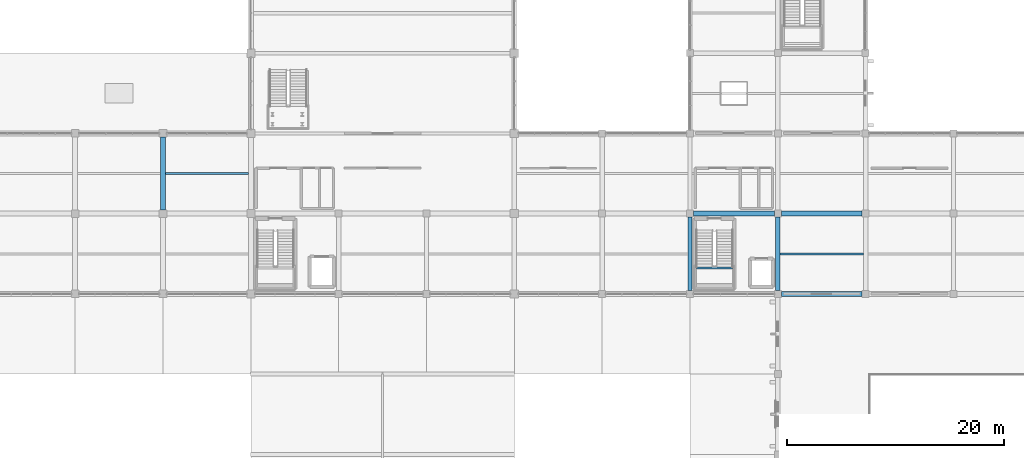
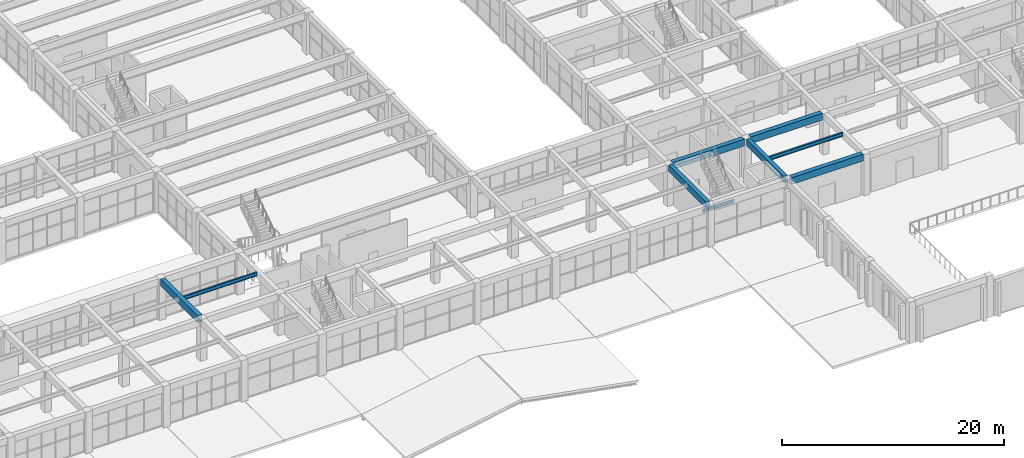
# One storey, part 44 of 161: 9 beams.
"""IFC4 building model written with IfcOpenShell, lengths in metres."""

from ifc_helpers import new_model, si_unit, direction, frame, origin, origin_2d, place, context, subcontext, project, spatial, rectangle, i_section, extrude, material, material_profile, profile_set, type_object, element, save


model = new_model("IFC4")

# Units and contexts
model_context = context("Model", 3, precision=1e-05, world=origin(), true_north=direction((0.0, 1.0)))
body_context = subcontext(model_context, "Body", "Model", "MODEL_VIEW")
ifc_project = project(units=[si_unit("LENGTHUNIT", "METRE"), si_unit("AREAUNIT", "SQUARE_METRE"), si_unit("VOLUMEUNIT", "CUBIC_METRE"), si_unit("PLANEANGLEUNIT", "RADIAN"), si_unit("MASSUNIT", "GRAM", prefix="KILO")], contexts=[model_context])

# Site, building, storey
site_placement = place(None, origin())
site = spatial("IfcSite", under=ifc_project, at=site_placement, CompositionType="ELEMENT")
building_placement = place(site_placement, origin())
building = spatial("IfcBuilding", under=site, at=building_placement, Name="Cimatlan Art Gallery", CompositionType="ELEMENT")
storey_placement = place(building_placement, frame((0.0, 0.0, 5.39990234375)))
storey = spatial("IfcBuildingStorey", under=building, at=storey_placement, Name="L01", CompositionType="ELEMENT", Elevation=5.39990234375)

# Beams
ifc_material_1 = material(Name="Concrete C40/50", Category="concrete")
ifc_material_profile_1 = material_profile(ifc_material_1, rectangle(XDim=0.39990234375, YDim=0.699951171875, at=origin_2d()), Name="RC400X700")
ifc_profile_set_1 = profile_set([ifc_material_profile_1], Name="Concrete C40/50")
beam_type_1 = type_object("IfcBeamType", Name="BM-RC-400X700", PredefinedType="BEAM", material=ifc_profile_set_1)
for number, where, z_axis, x_axis, name in (
    (1, (115.39990234375, 24.22509765625, 4.210205078125), (0.0, 1.0, 0.0), (-1.0, 0.0, 0.0), "BM-Y-L01-14-03"),
    (2, (123.5, 24.22509765625, 4.210205078125), (0.0, 1.0, 0.0), (-1.0, 0.0, 0.0), "BM-Y-L01-15-03"),
):
    element("IfcBeam", number, at=place(storey_placement, frame(where, z_axis=z_axis, x_axis=x_axis)), inside=storey, type_object=beam_type_1, Name=name, PredefinedType="BEAM", context=body_context, shape_type="SweptSolid", body=[
        extrude(rectangle(XDim=0.39990234375, YDim=0.699951171875, at=origin_2d()), origin(), (0.0, 0.0, 1.0), 6.75),
    ])
ifc_material_profile_2 = material_profile(ifc_material_1, rectangle(XDim=0.449951171875, YDim=0.75, at=origin_2d()), Name="RC450X750")
ifc_profile_set_2 = profile_set([ifc_material_profile_2], Name="Concrete C40/50")
beam_type_2 = type_object("IfcBeamType", Name="BM-RC-450X750", PredefinedType="BEAM", material=ifc_profile_set_2)
beam_1_placement = place(storey_placement, frame((66.800048828125, 31.64990234375, 4.18505859375), z_axis=(0.0, 1.0, 0.0), x_axis=(-1.0, 0.0, 0.0)))
element("IfcBeam", 3, at=beam_1_placement, inside=storey, type_object=beam_type_2, Name="BM-Y-L01-08-04", PredefinedType="BEAM", context=body_context, shape_type="SweptSolid", body=[
    extrude(rectangle(XDim=0.449951171875, YDim=0.75, at=origin_2d()), origin(), (0.0, 0.0, 1.0), 6.7001953125),
])
for number, where, z_axis, x_axis, name in (
    (4, (115.72509765625, 31.300048828125, 4.18505859375), (1.0, 0.0, 0.0), (0.0, 1.0, 0.0), "BM-X-L01-14-04"),
    (5, (123.824951171875, 23.89990234375, 4.18505859375), (1.0, 0.0, 0.0), (0.0, 1.0, 0.0), "BM-X-L01-15-03"),
    (6, (123.824951171875, 31.300048828125, 4.18505859375), (1.0, 0.0, 0.0), (0.0, 1.0, 0.0), "BM-X-L01-15-04"),
):
    element("IfcBeam", number, at=place(storey_placement, frame(where, z_axis=z_axis, x_axis=x_axis)), inside=storey, type_object=beam_type_2, Name=name, PredefinedType="BEAM", context=body_context, shape_type="SweptSolid", body=[
        extrude(rectangle(XDim=0.449951171875, YDim=0.75, at=origin_2d()), origin(), (0.0, 0.0, 1.0), 7.449951171875),
    ])
ifc_material_2 = material(Name="Steel ASTM A992 Grade 50", Category="steel")
ifc_material_profile_3 = material_profile(ifc_material_2, i_section(OverallWidth=0.1650390625, OverallDepth=0.31005859375, WebThickness=0.005859375, FlangeThickness=0.009765625, at=origin_2d()), Name="W12X26")
ifc_profile_set_3 = profile_set([ifc_material_profile_3], Name="Steel ASTM A992 Grade 50")
beam_type_3 = type_object("IfcBeamType", Name="BM-STL-W12X26", PredefinedType="JOIST", material=ifc_profile_set_3)
beam_2_placement = place(storey_placement, frame((116.014892578125, 26.300048828125, 2.025146484375), z_axis=(1.0, 0.0, 0.0), x_axis=(0.0, 1.0, 0.0)))
element("IfcBeam", 7, at=beam_2_placement, inside=storey, type_object=beam_type_3, Name="BM-STR-C4-L01-LH2", PredefinedType="JOIST", context=body_context, shape_type="SweptSolid", body=[
    extrude(i_section(OverallWidth=0.1650390625, OverallDepth=0.31005859375, WebThickness=0.005859375, FlangeThickness=0.009765625, at=origin_2d()), origin(), (0.0, 0.0, 1.0), 3.2900390625),
])
ifc_material_profile_4 = material_profile(ifc_material_2, i_section(OverallWidth=0.177978515625, OverallDepth=0.406982421875, WebThickness=0.0078125, FlangeThickness=0.0126953125, at=origin_2d()), Name="W16X40")
ifc_profile_set_4 = profile_set([ifc_material_profile_4], Name="Steel ASTM A992 Grade 50")
beam_type_4 = type_object("IfcBeamType", Name="BM-STL-W16X40", PredefinedType="JOIST", material=ifc_profile_set_4)
beam_3_placement = place(storey_placement, frame((67.02490234375, 35.0, 4.356689453125), z_axis=(1.0, 0.0, 0.0), x_axis=(0.0, 1.0, 0.0)))
element("IfcBeam", 8, at=beam_3_placement, inside=storey, type_object=beam_type_4, Name="JST-L01-08-04", PredefinedType="JOIST", context=body_context, shape_type="SweptSolid", body=[
    extrude(i_section(OverallWidth=0.177978515625, OverallDepth=0.406982421875, WebThickness=0.0078125, FlangeThickness=0.0126953125, at=origin_2d()), origin(), (0.0, 0.0, 1.0), 7.650146484375),
])
beam_4_placement = place(storey_placement, frame((123.699951171875, 27.60009765625, 4.356689453125), z_axis=(1.0, 0.0, 0.0), x_axis=(0.0, 1.0, 0.0)))
element("IfcBeam", 9, at=beam_4_placement, inside=storey, type_object=beam_type_4, Name="JST-L01-15-03", PredefinedType="JOIST", context=body_context, shape_type="SweptSolid", body=[
    extrude(i_section(OverallWidth=0.177978515625, OverallDepth=0.406982421875, WebThickness=0.0078125, FlangeThickness=0.0126953125, at=origin_2d()), origin(), (0.0, 0.0, 1.0), 7.699951171875),
])

save(model, "model.ifc")
